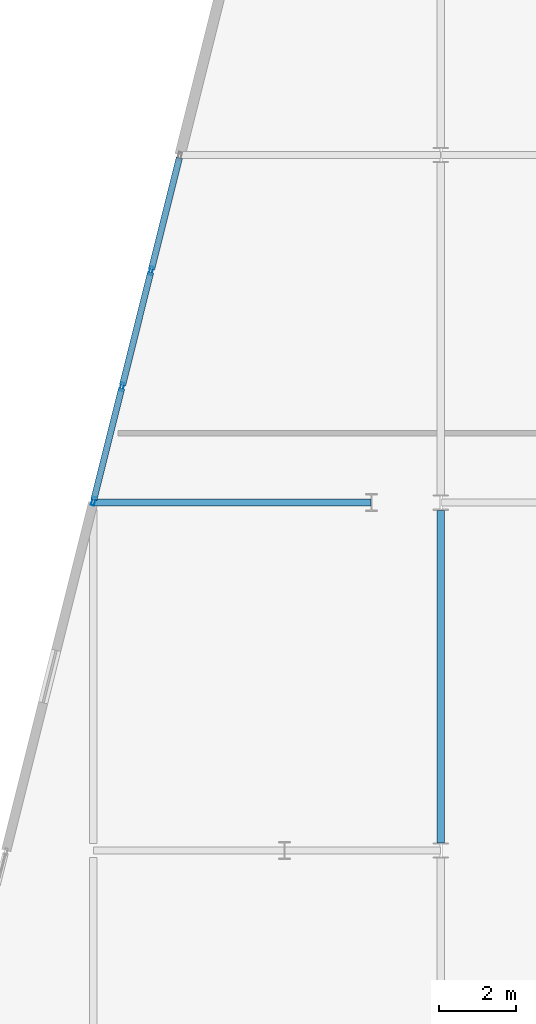
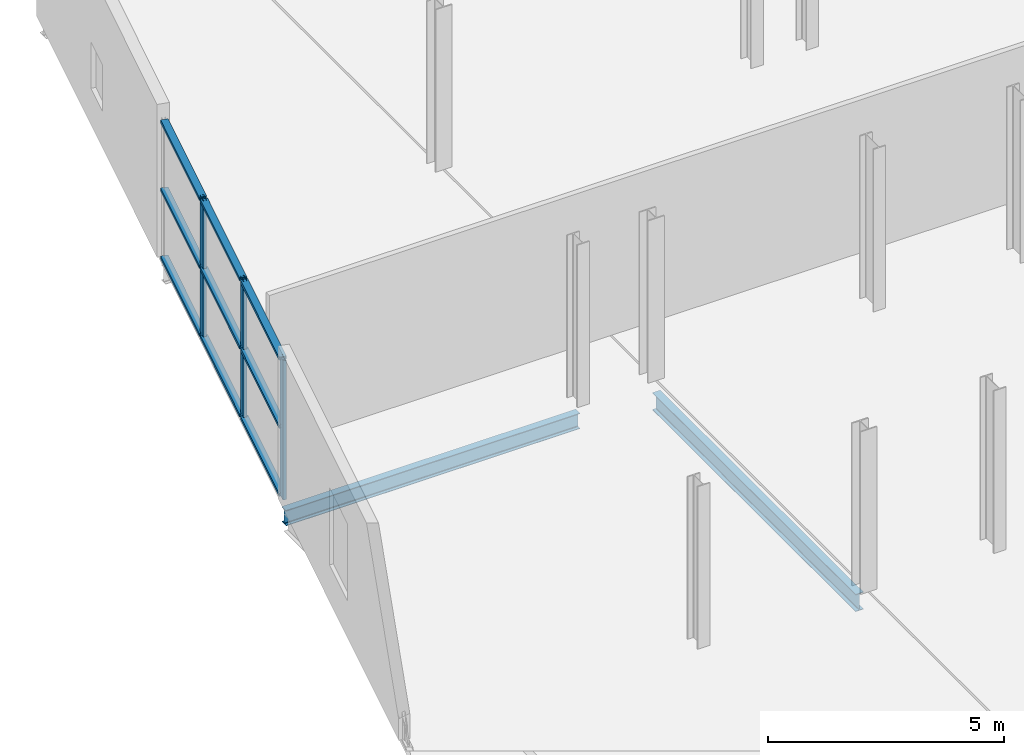
# One storey, part 55 of 88: 12 members, 2 beams, 1 element without a shape of its own.
"""IFC4 building model written with IfcOpenShell, lengths in metres."""

from ifc_helpers import new_model, si_unit, direction, frame, origin, origin_2d, place, context, subcontext, project, spatial, hollow_rectangle, i_section, extrude, material, layer, layer_set, material_profile, profile_set, type_object, element, aggregate, save


model = new_model("IFC4")

# Units and contexts
model_context = context("Model", 3, precision=1e-05, world=origin(), true_north=direction((0.0, 1.0)))
body_context = subcontext(model_context, "Body", "Model", "MODEL_VIEW")
ifc_project = project(units=[si_unit("LENGTHUNIT", "METRE"), si_unit("AREAUNIT", "SQUARE_METRE"), si_unit("VOLUMEUNIT", "CUBIC_METRE"), si_unit("PLANEANGLEUNIT", "RADIAN"), si_unit("MASSUNIT", "GRAM", prefix="KILO")], contexts=[model_context])

# Site, building, storey
site_placement = place(None, origin())
site = spatial("IfcSite", under=ifc_project, at=site_placement, CompositionType="ELEMENT")
building_placement = place(site_placement, origin())
building = spatial("IfcBuilding", under=site, at=building_placement, Name="Deido Ridge Mobility Hub", CompositionType="ELEMENT")
storey_placement = place(building_placement, frame((0.0, 0.0, 16.800048828125)))
storey = spatial("IfcBuildingStorey", under=building, at=storey_placement, Name="L04", CompositionType="ELEMENT", Elevation=16.800048828125)

# Beams
ifc_material_1 = material(Name="Steel S355J2 EN 10025-2", Category="steel")
ifc_material_profile_1 = material_profile(ifc_material_1, i_section(OverallWidth=0.179931640625, OverallDepth=0.39990234375, WebThickness=0.008544921875, FlangeThickness=0.013427734375, FilletRadius=0.02099609375, at=origin_2d()), Name="IPE 400")
ifc_profile_set_1 = profile_set([ifc_material_profile_1], Name="Steel S355J2 EN 10025-2")
beam_type_1 = type_object("IfcBeamType", Name="BM-IPE400", PredefinedType="BEAM", material=ifc_profile_set_1)
beam_1_placement = place(storey_placement, frame((135.006103515625, 54.0, -0.47509765625), z_axis=(1.0, 0.0, 0.0), x_axis=(0.0, 1.0, 0.0)))
element("IfcBeam", 1, at=beam_1_placement, inside=storey, type_object=beam_type_1, Name="Floor beam B5", PredefinedType="BEAM", context=body_context, shape_type="SweptSolid", body=[
    extrude(i_section(OverallWidth=0.179931640625, OverallDepth=0.39990234375, WebThickness=0.008544921875, FlangeThickness=0.013427734375, FilletRadius=0.02099609375, at=origin_2d()), origin(), (0.0, 0.0, 1.0), 7.18701171875),
])
ifc_material_profile_2 = material_profile(ifc_material_1, i_section(OverallWidth=0.18994140625, OverallDepth=0.449951171875, WebThickness=0.009521484375, FlangeThickness=0.0146484375, FilletRadius=0.02099609375, at=origin_2d()), Name="IPE 450")
ifc_profile_set_2 = profile_set([ifc_material_profile_2], Name="Steel S355J2 EN 10025-2")
beam_type_2 = type_object("IfcBeamType", Name="BM-IPE450", PredefinedType="BEAM", material=ifc_profile_set_2)
beam_2_placement = place(storey_placement, frame((144.0, 45.196533203125, -0.5), z_axis=(0.0, 1.0, 0.0), x_axis=(-1.0, 0.0, 0.0)))
element("IfcBeam", 2, at=beam_2_placement, inside=storey, type_object=beam_type_2, Name="Floor beam B4", PredefinedType="BEAM", context=body_context, shape_type="SweptSolid", body=[
    extrude(i_section(OverallWidth=0.18994140625, OverallDepth=0.449951171875, WebThickness=0.009521484375, FlangeThickness=0.0146484375, FilletRadius=0.02099609375, at=origin_2d()), origin(), (0.0, 0.0, 1.0), 8.60693359375),
])

# Curtain wall, members
ifc_material_2 = material(Name="Anodised aluminium EN AW-6063 T6", Category="aluminium")
ifc_layer = layer(ifc_material_2, 0.27001953125, Name="Anodised aluminium EN AW-6063 T6")
ifc_layer_set = layer_set([ifc_layer], Name="Anodised aluminium EN AW-6063 T6")
curtain_wall_type = type_object("IfcCurtainWallType", Name="CW-UF-8", PredefinedType="USERDEFINED", material=ifc_layer_set)
curtain_wall_placement = place(storey_placement, origin())
curtain_wall = element("IfcCurtainWall", 3, at=curtain_wall_placement, inside=storey, type_object=curtain_wall_type, Name="Unitised curtain wall CW8", ObjectType="UNITISED FACADE", PredefinedType="USERDEFINED")
ifc_material_profile_3 = material_profile(ifc_material_2, hollow_rectangle(XDim=0.080078125, YDim=0.219970703125, WallThickness=0.00390625, at=origin_2d()), Name="RHS 80x220x4")
ifc_profile_set_3 = profile_set([ifc_material_profile_3], Name="Anodised aluminium EN AW-6063 T6")
member_type_1 = type_object("IfcMemberType", Name="MEM-MUL-80X220", PredefinedType="MULLION", material=ifc_profile_set_3)
member_1_placement = place(storey_placement, frame((135.009765625, 54.038818359375, 0.0), z_axis=(0.0, 0.0, 1.0), x_axis=(-0.970142500145, 0.242535625038, 0.0)))
member_1 = element("IfcMember", 4, at=member_1_placement, type_object=member_type_1, Name="CW8 mullion 1", PredefinedType="MULLION", context=body_context, shape_type="SweptSolid", body=[
    extrude(hollow_rectangle(XDim=0.080078125, YDim=0.219970703125, WallThickness=0.00390625, at=origin_2d()), origin(), (0.0, 0.0, 1.0), 3.599853515625),
])
member_2_placement = place(storey_placement, frame((135.75, 57.0, 0.0), z_axis=(0.0, 0.0, 1.0), x_axis=(-0.970142500145, 0.242535625038, 0.0)))
member_2 = element("IfcMember", 5, at=member_2_placement, type_object=member_type_1, Name="CW8 mullion 2", PredefinedType="MULLION", context=body_context, shape_type="SweptSolid", body=[
    extrude(hollow_rectangle(XDim=0.080078125, YDim=0.219970703125, WallThickness=0.00390625, at=origin_2d()), origin(), (0.0, 0.0, 1.0), 3.599853515625),
])
member_3_placement = place(storey_placement, frame((136.5, 60.0, 0.0), z_axis=(0.0, 0.0, 1.0), x_axis=(-0.970142500145, 0.242535625038, 0.0)))
member_3 = element("IfcMember", 6, at=member_3_placement, type_object=member_type_1, Name="CW8 mullion 3", PredefinedType="MULLION", context=body_context, shape_type="SweptSolid", body=[
    extrude(hollow_rectangle(XDim=0.080078125, YDim=0.219970703125, WallThickness=0.00390625, at=origin_2d()), origin(), (0.0, 0.0, 1.0), 3.599853515625),
])
ifc_material_profile_4 = material_profile(ifc_material_2, hollow_rectangle(XDim=0.1650390625, YDim=0.080078125, WallThickness=0.00390625, at=origin_2d()), Name="RHS 165x80x4")
ifc_profile_set_4 = profile_set([ifc_material_profile_4], Name="Anodised aluminium EN AW-6063 T6")
member_type_2 = type_object("IfcMemberType", Name="MEM-TRN-165X80", PredefinedType="USERDEFINED", material=ifc_profile_set_4)
member_4_placement = place(storey_placement, frame((135.019287109375, 54.07763671875, 0.0400390625), z_axis=(0.242554951691, 0.970137668277, 0.0), x_axis=(-0.970137668277, 0.242554951691, 0.0)))
member_4 = element("IfcMember", 7, at=member_4_placement, type_object=member_type_2, Name="CW8 transom 1.1", ObjectType="TRANSOM", PredefinedType="USERDEFINED", context=body_context, shape_type="SweptSolid", body=[
    extrude(hollow_rectangle(XDim=0.1650390625, YDim=0.080078125, WallThickness=0.00390625, at=origin_2d()), origin(), (0.0, 0.0, 1.0), 2.972412109375),
])
member_5_placement = place(storey_placement, frame((135.019287109375, 54.07763671875, 1.800048828125), z_axis=(0.242554951691, 0.970137668277, 0.0), x_axis=(-0.970137668277, 0.242554951691, 0.0)))
member_5 = element("IfcMember", 8, at=member_5_placement, type_object=member_type_2, Name="CW8 transom 1.2", ObjectType="TRANSOM", PredefinedType="USERDEFINED", context=body_context, shape_type="SweptSolid", body=[
    extrude(hollow_rectangle(XDim=0.1650390625, YDim=0.080078125, WallThickness=0.00390625, at=origin_2d()), origin(), (0.0, 0.0, 1.0), 2.972412109375),
])
member_6_placement = place(storey_placement, frame((135.019287109375, 54.07763671875, 3.56005859375), z_axis=(0.242554951691, 0.970137668277, 0.0), x_axis=(-0.970137668277, 0.242554951691, 0.0)))
member_6 = element("IfcMember", 9, at=member_6_placement, type_object=member_type_2, Name="CW8 transom 1.3", ObjectType="TRANSOM", PredefinedType="USERDEFINED", context=body_context, shape_type="SweptSolid", body=[
    extrude(hollow_rectangle(XDim=0.1650390625, YDim=0.080078125, WallThickness=0.00390625, at=origin_2d()), origin(), (0.0, 0.0, 1.0), 2.972412109375),
])
member_7_placement = place(storey_placement, frame((135.759765625, 57.038818359375, 0.0400390625), z_axis=(0.24249748432, 0.970152034528, 0.0), x_axis=(-0.970152034528, 0.24249748432, 0.0)))
member_7 = element("IfcMember", 10, at=member_7_placement, type_object=member_type_2, Name="CW8 transom 2.1", ObjectType="TRANSOM", PredefinedType="USERDEFINED", context=body_context, shape_type="SweptSolid", body=[
    extrude(hollow_rectangle(XDim=0.1650390625, YDim=0.080078125, WallThickness=0.00390625, at=origin_2d()), origin(), (0.0, 0.0, 1.0), 3.01220703125),
])
member_8_placement = place(storey_placement, frame((135.759765625, 57.038818359375, 1.800048828125), z_axis=(0.24249748432, 0.970152034528, 0.0), x_axis=(-0.970152034528, 0.24249748432, 0.0)))
member_8 = element("IfcMember", 11, at=member_8_placement, type_object=member_type_2, Name="CW8 transom 2.2", ObjectType="TRANSOM", PredefinedType="USERDEFINED", context=body_context, shape_type="SweptSolid", body=[
    extrude(hollow_rectangle(XDim=0.1650390625, YDim=0.080078125, WallThickness=0.00390625, at=origin_2d()), origin(), (0.0, 0.0, 1.0), 3.01220703125),
])
member_9_placement = place(storey_placement, frame((135.759765625, 57.038818359375, 3.56005859375), z_axis=(0.24249748432, 0.970152034528, 0.0), x_axis=(-0.970152034528, 0.24249748432, 0.0)))
member_9 = element("IfcMember", 12, at=member_9_placement, type_object=member_type_2, Name="CW8 transom 2.3", ObjectType="TRANSOM", PredefinedType="USERDEFINED", context=body_context, shape_type="SweptSolid", body=[
    extrude(hollow_rectangle(XDim=0.1650390625, YDim=0.080078125, WallThickness=0.00390625, at=origin_2d()), origin(), (0.0, 0.0, 1.0), 3.01220703125),
])
member_10_placement = place(storey_placement, frame((136.509765625, 60.038818359375, 0.0400390625), z_axis=(0.242554951691, 0.970137668277, 0.0), x_axis=(-0.970137668277, 0.242554951691, 0.0)))
member_10 = element("IfcMember", 13, at=member_10_placement, type_object=member_type_2, Name="CW8 transom 3.1", ObjectType="TRANSOM", PredefinedType="USERDEFINED", context=body_context, shape_type="SweptSolid", body=[
    extrude(hollow_rectangle(XDim=0.1650390625, YDim=0.080078125, WallThickness=0.00390625, at=origin_2d()), origin(), (0.0, 0.0, 1.0), 2.972412109375),
])
member_11_placement = place(storey_placement, frame((136.509765625, 60.038818359375, 1.800048828125), z_axis=(0.242554951691, 0.970137668277, 0.0), x_axis=(-0.970137668277, 0.242554951691, 0.0)))
member_11 = element("IfcMember", 14, at=member_11_placement, type_object=member_type_2, Name="CW8 transom 3.2", ObjectType="TRANSOM", PredefinedType="USERDEFINED", context=body_context, shape_type="SweptSolid", body=[
    extrude(hollow_rectangle(XDim=0.1650390625, YDim=0.080078125, WallThickness=0.00390625, at=origin_2d()), origin(), (0.0, 0.0, 1.0), 2.972412109375),
])
member_12_placement = place(storey_placement, frame((136.509765625, 60.038818359375, 3.56005859375), z_axis=(0.242554951691, 0.970137668277, 0.0), x_axis=(-0.970137668277, 0.242554951691, 0.0)))
member_12 = element("IfcMember", 15, at=member_12_placement, type_object=member_type_2, Name="CW8 transom 3.3", ObjectType="TRANSOM", PredefinedType="USERDEFINED", context=body_context, shape_type="SweptSolid", body=[
    extrude(hollow_rectangle(XDim=0.1650390625, YDim=0.080078125, WallThickness=0.00390625, at=origin_2d()), origin(), (0.0, 0.0, 1.0), 2.972412109375),
])
aggregate(curtain_wall, [member_1, member_2, member_3, member_4, member_5, member_6, member_7, member_8, member_9, member_10, member_11, member_12])

save(model, "model.ifc")
